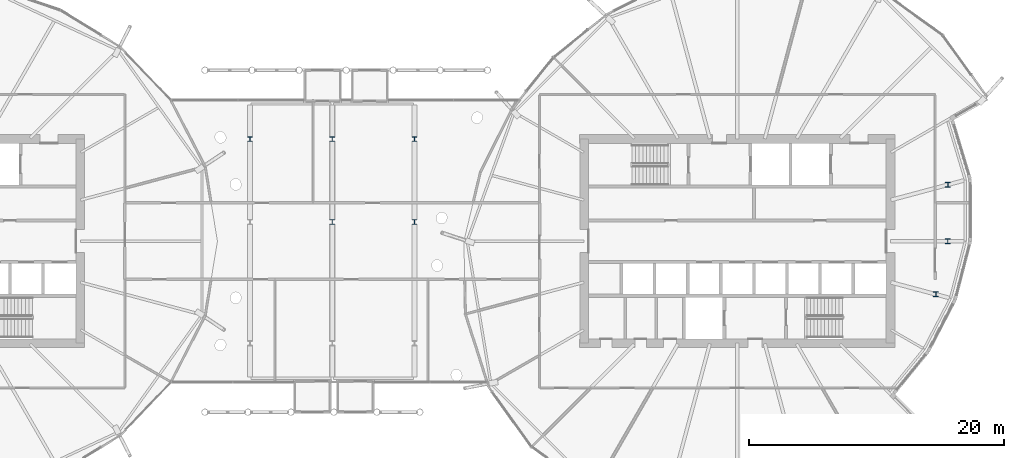
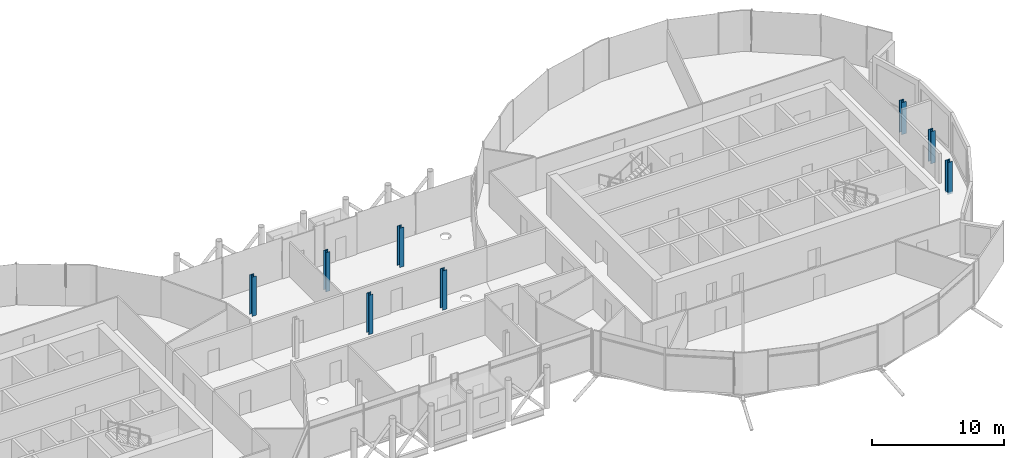
# One storey, part 2 of 40: 8 columns.
"""IFC4 building model written with IfcOpenShell, lengths in metres."""

from ifc_helpers import new_model, si_unit, direction, frame, origin, origin_2d, place, context, subcontext, project, spatial, i_section, extrude, material, material_profile, profile_set, type_object, element, save


model = new_model("IFC4")

# Units and contexts
model_context = context("Model", 3, precision=1e-05, world=origin(), true_north=direction((0.0, 1.0)))
body_context = subcontext(model_context, "Body", "Model", "MODEL_VIEW")
ifc_project = project(units=[si_unit("LENGTHUNIT", "METRE"), si_unit("AREAUNIT", "SQUARE_METRE"), si_unit("VOLUMEUNIT", "CUBIC_METRE"), si_unit("PLANEANGLEUNIT", "RADIAN"), si_unit("MASSUNIT", "GRAM", prefix="KILO")], contexts=[model_context])

# Site, building, storey
site_placement = place(None, origin())
site = spatial("IfcSite", under=ifc_project, at=site_placement, CompositionType="ELEMENT")
building_placement = place(site_placement, origin())
building = spatial("IfcBuilding", under=site, at=building_placement, Name="Rimbun Link Towers", CompositionType="ELEMENT")
storey_placement = place(building_placement, frame((0.0, 0.0, 150.60009765625)))
storey = spatial("IfcBuildingStorey", under=building, at=storey_placement, Name="L36", CompositionType="ELEMENT", Elevation=150.60009765625)

# Columns
ifc_material_1 = material(Name="Steel S355J2", Category="steel")
ifc_material_profile_1 = material_profile(ifc_material_1, i_section(OverallWidth=0.374755859375, OverallDepth=0.37451171875, WebThickness=0.0166015625, FlangeThickness=0.027099609375, at=origin_2d()), Name="UKC 356x368x202")
ifc_profile_set_1 = profile_set([ifc_material_profile_1], Name="Steel S355J2")
column_type_1 = type_object("IfcColumnType", Name="Link column UKC 356x368x202", PredefinedType="COLUMN", material=ifc_profile_set_1)
for number, where, z_axis, x_axis, name in (
    (1, (-6.449951171875, 8.0, 0.0), (0.0, 0.0, 1.0), (1.0, 0.0, 0.0), "Link column L36 3-1"),
    (2, (0.0, 1.5, 0.0), (0.0, 0.0, 1.0), (1.0, 0.0, 0.0), "Link column L36 2-2"),
    (3, (0.0, 8.0, 0.0), (0.0, 0.0, 1.0), (1.0, 0.0, 0.0), "Link column L36 3-2"),
    (4, (6.449951171875, 1.5, 0.0), (0.0, 0.0, 1.0), (1.0, 0.0, 0.0), "Link column L36 2-3"),
    (5, (6.449951171875, 8.0, 0.0), (0.0, 0.0, 1.0), (1.0, 0.0, 0.0), "Link column L36 3-3"),
):
    element("IfcColumn", number, at=place(storey_placement, frame(where, z_axis=z_axis, x_axis=x_axis)), inside=storey, type_object=column_type_1, Name=name, PredefinedType="COLUMN", context=body_context, shape_type="SweptSolid", body=[
        extrude(i_section(OverallWidth=0.374755859375, OverallDepth=0.37451171875, WebThickness=0.0166015625, FlangeThickness=0.027099609375, at=origin_2d()), origin(), (0.0, 0.0, 1.0), 3.639892578125),
    ])
ifc_material_2 = material(Name="Steel S355J2", Category="steel")
ifc_material_profile_2 = material_profile(ifc_material_2, i_section(OverallWidth=0.39892578125, OverallDepth=0.3935546875, WebThickness=0.022705078125, FlangeThickness=0.03662109375, at=origin_2d()), Name="UC 356x406x287")
ifc_profile_set_2 = profile_set([ifc_material_profile_2], Name="Steel S355J2")
column_type_2 = type_object("IfcColumnType", Name="UC 356x406x287", PredefinedType="COLUMN", material=ifc_profile_set_2)
for number, where, z_axis, x_axis, name in (
    (6, (47.317138671875, -4.171142578125, -0.18017578125), (0.0, 0.0, 1.0), (1.0, 0.0, 0.0), "Crease post T2 L36 20"),
    (7, (48.236083984375, 0.0, -0.18017578125), (0.0, 0.0, 1.0), (1.0, 0.0, 0.0), "Crease post T2 L36 21"),
    (8, (48.25146484375, 4.42138671875, -0.18017578125), (0.0, 0.0, 1.0), (1.0, 0.0, 0.0), "Crease post T2 L36 22"),
):
    element("IfcColumn", number, at=place(storey_placement, frame(where, z_axis=z_axis, x_axis=x_axis)), inside=storey, type_object=column_type_2, Name=name, PredefinedType="COLUMN", context=body_context, shape_type="SweptSolid", body=[
        extrude(i_section(OverallWidth=0.39892578125, OverallDepth=0.3935546875, WebThickness=0.022705078125, FlangeThickness=0.03662109375, at=origin_2d()), origin(), (0.0, 0.0, 1.0), 2.95947265625),
    ])

save(model, "model.ifc")
